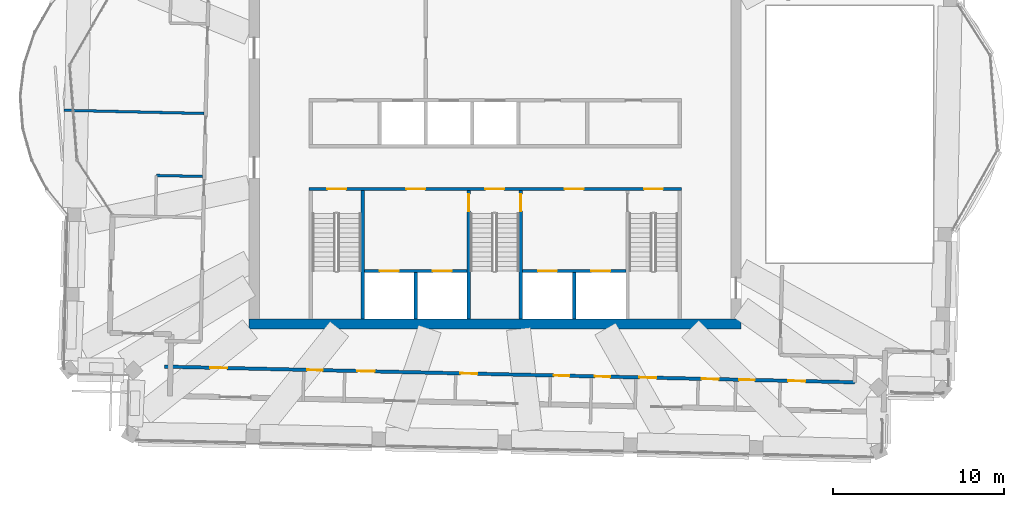
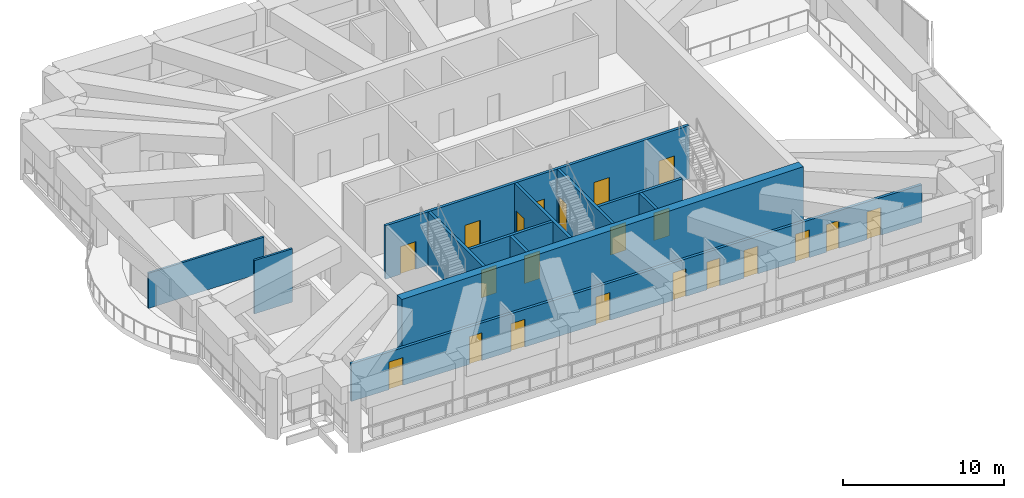
# One storey, part 9 of 19: 21 doors, 12 walls, 21 openings.
"""IFC4 building model written with IfcOpenShell, lengths in metres."""

from ifc_helpers import new_model, si_unit, direction, frame, frame_2d, origin, place, context, subcontext, project, spatial, rectangle, extrude, material, layer, layer_set, type_object, element, fill, save


model = new_model("IFC4")

# Units and contexts
model_context = context("Model", 3, precision=1e-05, world=origin(), true_north=direction((0.0, 1.0)))
body_context = subcontext(model_context, "Body", "Model", "MODEL_VIEW")
ifc_project = project(units=[si_unit("LENGTHUNIT", "METRE"), si_unit("AREAUNIT", "SQUARE_METRE"), si_unit("VOLUMEUNIT", "CUBIC_METRE"), si_unit("PLANEANGLEUNIT", "RADIAN"), si_unit("MASSUNIT", "GRAM", prefix="KILO")], contexts=[model_context])

# Site, building, storey
site_placement = place(None, origin())
site = spatial("IfcSite", under=ifc_project, at=site_placement, CompositionType="ELEMENT")
building_placement = place(site_placement, origin())
building = spatial("IfcBuilding", under=site, at=building_placement, Name="Mangrove Gate Tower", CompositionType="ELEMENT")
storey_placement = place(building_placement, frame((0.0, 0.0, 346.10009765625)))
storey = spatial("IfcBuildingStorey", under=building, at=storey_placement, Name="L88", CompositionType="ELEMENT", Elevation=346.10009765625)

# Wall, openings, doors
ifc_material_1 = material(Name="Concrete C50/60", Category="concrete")
ifc_layer_1 = layer(ifc_material_1, 0.199951171875)
ifc_layer_set_1 = layer_set([ifc_layer_1], Name="Core shaft wall 200 C50/60")
wall_type_1 = type_object("IfcWallType", Name="Core shaft wall 200 C50/60", PredefinedType="SHEAR", material=ifc_layer_set_1)
wall_1_placement = place(storey_placement, frame((-7.64990234375, -8.0, 0.0), z_axis=(0.0, 0.0, 1.0), x_axis=(1.0, 0.0, 0.0)))
wall_1 = element("IfcWall", 1, at=wall_1_placement, inside=storey, type_object=wall_type_1, Name="WALL-L88-CORE-15", PredefinedType="SHEAR", context=body_context, shape_type="SweptSolid", body=[
    extrude(rectangle(XDim=6.0, YDim=0.199951171875, at=frame_2d((3.0, 0.0))), origin(), (0.0, 0.0, 1.0), 4.0498046875),
])
opening_1_placement = place(wall_1_placement, frame((0.89990234375, 0.0, 0.0)))
opening_1 = element("IfcOpeningElement", 2, at=opening_1_placement, cuts=wall_1, Name="Opening LD", PredefinedType="OPENING", context=body_context, shape_type="SweptSolid", body=[
    extrude(rectangle(XDim=1.10009765625, YDim=2.10009765625, at=frame_2d((0.550048828125, 1.050048828125))), frame((0.0, 0.10986328125, 0.0), z_axis=(0.0, -1.0, 0.0), x_axis=(1.0, 0.0, 0.0)), (0.0, 0.0, 1.0), 0.219970703125),
])
opening_2_placement = place(wall_1_placement, frame((4.0, 0.0, 0.0)))
opening_2 = element("IfcOpeningElement", 3, at=opening_2_placement, cuts=wall_1, Name="Opening LD", PredefinedType="OPENING", context=body_context, shape_type="SweptSolid", body=[
    extrude(rectangle(XDim=1.10009765625, YDim=2.10009765625, at=frame_2d((0.550048828125, 1.050048828125))), frame((0.0, 0.10986328125, 0.0), z_axis=(0.0, -1.0, 0.0), x_axis=(1.0, 0.0, 0.0)), (0.0, 0.0, 1.0), 0.219970703125),
])
ifc_material_2 = material(Name="Stainless steel 316", Category="steel")
door_type_1 = type_object("IfcDoorType", Name="Lift landing door 1100x2100", OperationType="SLIDING_TO_LEFT", PredefinedType="DOOR", material=ifc_material_2)
door_1_placement = place(opening_1_placement, origin())
door_1 = element("IfcDoor", 4, at=door_1_placement, inside=storey, type_object=door_type_1, Name="Landing door LD SVL1", OperationType="SLIDING_TO_LEFT", OverallHeight=2.10009765625, OverallWidth=1.10009765625, PredefinedType="DOOR", context=body_context, shape_type="SweptSolid", body=[
    extrude(rectangle(XDim=1.10009765625, YDim=2.10009765625, at=frame_2d((0.550048828125, 1.050048828125))), frame((0.0, 0.02490234375, 0.0), z_axis=(0.0, -1.0, 0.0), x_axis=(1.0, 0.0, 0.0)), (0.0, 0.0, 1.0), 0.050048828125),
])
fill(opening_1, door_1)
door_2_placement = place(opening_2_placement, origin())
door_2 = element("IfcDoor", 5, at=door_2_placement, inside=storey, type_object=door_type_1, Name="Landing door LD SVL2", OperationType="SLIDING_TO_LEFT", OverallHeight=2.10009765625, OverallWidth=1.10009765625, PredefinedType="DOOR", context=body_context, shape_type="SweptSolid", body=[
    extrude(rectangle(XDim=1.10009765625, YDim=2.10009765625, at=frame_2d((0.550048828125, 1.050048828125))), frame((0.0, 0.02490234375, 0.0), z_axis=(0.0, -1.0, 0.0), x_axis=(1.0, 0.0, 0.0)), (0.0, 0.0, 1.0), 0.050048828125),
])
fill(opening_2, door_2)

# Wall
wall_2_placement = place(storey_placement, frame((-4.64990234375, -10.800048828125, 0.0), z_axis=(0.0, 0.0, 1.0), x_axis=(0.0, 1.0, 0.0)))
element("IfcWall", 6, at=wall_2_placement, inside=storey, type_object=wall_type_1, Name="WALL-L88-CORE-16", PredefinedType="SHEAR", context=body_context, shape_type="SweptSolid", body=[
    extrude(rectangle(XDim=2.699951171875, YDim=0.199951171875, at=frame_2d((1.35009765625, 0.0))), origin(), (0.0, 0.0, 1.0), 4.0498046875),
])

# Wall, openings, doors
wall_3_placement = place(storey_placement, frame((1.60009765625, -8.0, 0.0), z_axis=(0.0, 0.0, 1.0), x_axis=(1.0, 0.0, 0.0)))
wall_3 = element("IfcWall", 7, at=wall_3_placement, inside=storey, type_object=wall_type_1, Name="WALL-L88-CORE-17", PredefinedType="SHEAR", context=body_context, shape_type="SweptSolid", body=[
    extrude(rectangle(XDim=6.0498046875, YDim=0.199951171875, at=frame_2d((3.02490234375, 0.0))), origin(), (0.0, 0.0, 1.0), 4.0498046875),
])
opening_3_placement = place(wall_3_placement, frame((0.91259765625, 0.0, 0.0)))
opening_3 = element("IfcOpeningElement", 8, at=opening_3_placement, cuts=wall_3, Name="Opening LD", PredefinedType="OPENING", context=body_context, shape_type="SweptSolid", body=[
    extrude(rectangle(XDim=1.10009765625, YDim=2.10009765625, at=frame_2d((0.550048828125, 1.050048828125))), frame((0.0, 0.10986328125, 0.0), z_axis=(0.0, -1.0, 0.0), x_axis=(1.0, 0.0, 0.0)), (0.0, 0.0, 1.0), 0.219970703125),
])
opening_4_placement = place(wall_3_placement, frame((4.03759765625, 0.0, 0.0)))
opening_4 = element("IfcOpeningElement", 9, at=opening_4_placement, cuts=wall_3, Name="Opening LD", PredefinedType="OPENING", context=body_context, shape_type="SweptSolid", body=[
    extrude(rectangle(XDim=1.10009765625, YDim=2.10009765625, at=frame_2d((0.550048828125, 1.050048828125))), frame((0.0, 0.10986328125, 0.0), z_axis=(0.0, -1.0, 0.0), x_axis=(1.0, 0.0, 0.0)), (0.0, 0.0, 1.0), 0.219970703125),
])
door_3_placement = place(opening_3_placement, origin())
door_3 = element("IfcDoor", 10, at=door_3_placement, inside=storey, type_object=door_type_1, Name="Landing door LD FFL1", OperationType="SLIDING_TO_LEFT", OverallHeight=2.10009765625, OverallWidth=1.10009765625, PredefinedType="DOOR", context=body_context, shape_type="SweptSolid", body=[
    extrude(rectangle(XDim=1.10009765625, YDim=2.10009765625, at=frame_2d((0.550048828125, 1.050048828125))), frame((0.0, 0.02490234375, 0.0), z_axis=(0.0, -1.0, 0.0), x_axis=(1.0, 0.0, 0.0)), (0.0, 0.0, 1.0), 0.050048828125),
])
fill(opening_3, door_3)
door_4_placement = place(opening_4_placement, origin())
door_4 = element("IfcDoor", 11, at=door_4_placement, inside=storey, type_object=door_type_1, Name="Landing door LD FFL2", OperationType="SLIDING_TO_LEFT", OverallHeight=2.10009765625, OverallWidth=1.10009765625, PredefinedType="DOOR", context=body_context, shape_type="SweptSolid", body=[
    extrude(rectangle(XDim=1.10009765625, YDim=2.10009765625, at=frame_2d((0.550048828125, 1.050048828125))), frame((0.0, 0.02490234375, 0.0), z_axis=(0.0, -1.0, 0.0), x_axis=(1.0, 0.0, 0.0)), (0.0, 0.0, 1.0), 0.050048828125),
])
fill(opening_4, door_4)

# Wall
wall_4_placement = place(storey_placement, frame((4.625, -10.800048828125, 0.0), z_axis=(0.0, 0.0, 1.0), x_axis=(0.0, 1.0, 0.0)))
element("IfcWall", 12, at=wall_4_placement, inside=storey, type_object=wall_type_1, Name="WALL-L88-CORE-18", PredefinedType="SHEAR", context=body_context, shape_type="SweptSolid", body=[
    extrude(rectangle(XDim=2.699951171875, YDim=0.199951171875, at=frame_2d((1.35009765625, 0.0))), origin(), (0.0, 0.0, 1.0), 4.0498046875),
])

# Wall, openings, doors
ifc_material_3 = material(Name="Concrete C50/60", Category="concrete")
ifc_layer_2 = layer(ifc_material_3, 0.199951171875)
ifc_layer_set_2 = layer_set([ifc_layer_2], Name="Core stair wall 200 C50/60")
wall_type_2 = type_object("IfcWallType", Name="Core stair wall 200 C50/60", PredefinedType="SHEAR", material=ifc_layer_set_2)
wall_5_placement = place(storey_placement, frame((-10.89990234375, -3.199951171875, 0.0), z_axis=(0.0, 0.0, 1.0), x_axis=(1.0, 0.0, 0.0)))
wall_5 = element("IfcWall", 13, at=wall_5_placement, inside=storey, type_object=wall_type_2, Name="WALL-L88-CORE-5", PredefinedType="SHEAR", context=body_context, shape_type="SweptSolid", body=[
    extrude(rectangle(XDim=21.7998046875, YDim=0.199951171875, at=frame_2d((10.89990234375, 0.0))), origin(), (0.0, 0.0, 1.0), 4.0498046875),
])
opening_5_placement = place(wall_5_placement, frame((1.074951171875, 0.0, 0.0)))
opening_5 = element("IfcOpeningElement", 14, at=opening_5_placement, cuts=wall_5, Name="Opening STD11", PredefinedType="OPENING", context=body_context, shape_type="SweptSolid", body=[
    extrude(rectangle(XDim=1.10009765625, YDim=2.10009765625, at=frame_2d((0.550048828125, 1.050048828125))), frame((0.0, 0.10986328125, 0.0), z_axis=(0.0, -1.0, 0.0), x_axis=(1.0, 0.0, 0.0)), (0.0, 0.0, 1.0), 0.219970703125),
])
opening_6_placement = place(wall_5_placement, frame((10.324951171875, 0.0, 0.0)))
opening_6 = element("IfcOpeningElement", 15, at=opening_6_placement, cuts=wall_5, Name="Opening STD11", PredefinedType="OPENING", context=body_context, shape_type="SweptSolid", body=[
    extrude(rectangle(XDim=1.10009765625, YDim=2.10009765625, at=frame_2d((0.550048828125, 1.050048828125))), frame((0.0, 0.10986328125, 0.0), z_axis=(0.0, -1.0, 0.0), x_axis=(1.0, 0.0, 0.0)), (0.0, 0.0, 1.0), 0.219970703125),
])
opening_7_placement = place(wall_5_placement, frame((19.625, 0.0, 0.0)))
opening_7 = element("IfcOpeningElement", 16, at=opening_7_placement, cuts=wall_5, Name="Opening STD11", PredefinedType="OPENING", context=body_context, shape_type="SweptSolid", body=[
    extrude(rectangle(XDim=1.10009765625, YDim=2.10009765625, at=frame_2d((0.550048828125, 1.050048828125))), frame((0.0, 0.10986328125, 0.0), z_axis=(0.0, -1.0, 0.0), x_axis=(1.0, 0.0, 0.0)), (0.0, 0.0, 1.0), 0.219970703125),
])
opening_8_placement = place(wall_5_placement, frame((5.699951171875, 0.0, 0.0)))
opening_8 = element("IfcOpeningElement", 17, at=opening_8_placement, cuts=wall_5, Name="Opening FL", PredefinedType="OPENING", context=body_context, shape_type="SweptSolid", body=[
    extrude(rectangle(XDim=1.10009765625, YDim=2.10009765625, at=frame_2d((0.550048828125, 1.050048828125))), frame((0.0, 0.10986328125, 0.0), z_axis=(0.0, -1.0, 0.0), x_axis=(1.0, 0.0, 0.0)), (0.0, 0.0, 1.0), 0.219970703125),
])
opening_9_placement = place(wall_5_placement, frame((14.97509765625, 0.0, 0.0)))
opening_9 = element("IfcOpeningElement", 18, at=opening_9_placement, cuts=wall_5, Name="Opening FL", PredefinedType="OPENING", context=body_context, shape_type="SweptSolid", body=[
    extrude(rectangle(XDim=1.10009765625, YDim=2.10009765625, at=frame_2d((0.550048828125, 1.050048828125))), frame((0.0, 0.10986328125, 0.0), z_axis=(0.0, -1.0, 0.0), x_axis=(1.0, 0.0, 0.0)), (0.0, 0.0, 1.0), 0.219970703125),
])
ifc_material_4 = material(Name="Fire-rated steel door set", Category="steel")
door_type_2 = type_object("IfcDoorType", Name="Lobby door FD60 1100x2100", OperationType="SINGLE_SWING_LEFT", PredefinedType="DOOR", material=ifc_material_4)
door_5_placement = place(opening_8_placement, origin())
door_5 = element("IfcDoor", 19, at=door_5_placement, inside=storey, type_object=door_type_2, Name="Lobby door service lobby", OperationType="SINGLE_SWING_LEFT", OverallHeight=2.10009765625, OverallWidth=1.10009765625, PredefinedType="DOOR", context=body_context, shape_type="SweptSolid", body=[
    extrude(rectangle(XDim=1.10009765625, YDim=2.10009765625, at=frame_2d((0.550048828125, 1.050048828125))), frame((0.0, 0.02490234375, 0.0), z_axis=(0.0, -1.0, 0.0), x_axis=(1.0, 0.0, 0.0)), (0.0, 0.0, 1.0), 0.050048828125),
])
fill(opening_8, door_5)
door_6_placement = place(opening_9_placement, origin())
door_6 = element("IfcDoor", 20, at=door_6_placement, inside=storey, type_object=door_type_2, Name="Lobby door fire-fighting lobby", OperationType="SINGLE_SWING_LEFT", OverallHeight=2.10009765625, OverallWidth=1.10009765625, PredefinedType="DOOR", context=body_context, shape_type="SweptSolid", body=[
    extrude(rectangle(XDim=1.10009765625, YDim=2.10009765625, at=frame_2d((0.550048828125, 1.050048828125))), frame((0.0, 0.02490234375, 0.0), z_axis=(0.0, -1.0, 0.0), x_axis=(1.0, 0.0, 0.0)), (0.0, 0.0, 1.0), 0.050048828125),
])
fill(opening_9, door_6)
ifc_material_5 = material(Name="Fire-rated steel door set", Category="steel")
door_type_3 = type_object("IfcDoorType", Name="Stair door FD60 1100x2100", OperationType="SINGLE_SWING_RIGHT", PredefinedType="DOOR", material=ifc_material_5)
door_7_placement = place(opening_5_placement, origin())
door_7 = element("IfcDoor", 21, at=door_7_placement, inside=storey, type_object=door_type_3, Name="Stair door Stair 1", OperationType="SINGLE_SWING_RIGHT", OverallHeight=2.10009765625, OverallWidth=1.10009765625, PredefinedType="DOOR", context=body_context, shape_type="SweptSolid", body=[
    extrude(rectangle(XDim=1.10009765625, YDim=2.10009765625, at=frame_2d((0.550048828125, 1.050048828125))), frame((0.0, 0.02490234375, 0.0), z_axis=(0.0, -1.0, 0.0), x_axis=(1.0, 0.0, 0.0)), (0.0, 0.0, 1.0), 0.050048828125),
])
fill(opening_5, door_7)
door_8_placement = place(opening_6_placement, origin())
door_8 = element("IfcDoor", 22, at=door_8_placement, inside=storey, type_object=door_type_3, Name="Stair door Stair 2", OperationType="SINGLE_SWING_RIGHT", OverallHeight=2.10009765625, OverallWidth=1.10009765625, PredefinedType="DOOR", context=body_context, shape_type="SweptSolid", body=[
    extrude(rectangle(XDim=1.10009765625, YDim=2.10009765625, at=frame_2d((0.550048828125, 1.050048828125))), frame((0.0, 0.02490234375, 0.0), z_axis=(0.0, -1.0, 0.0), x_axis=(1.0, 0.0, 0.0)), (0.0, 0.0, 1.0), 0.050048828125),
])
fill(opening_6, door_8)
door_9_placement = place(opening_7_placement, origin())
door_9 = element("IfcDoor", 23, at=door_9_placement, inside=storey, type_object=door_type_3, Name="Stair door Stair 3", OperationType="SINGLE_SWING_RIGHT", OverallHeight=2.10009765625, OverallWidth=1.10009765625, PredefinedType="DOOR", context=body_context, shape_type="SweptSolid", body=[
    extrude(rectangle(XDim=1.10009765625, YDim=2.10009765625, at=frame_2d((0.550048828125, 1.050048828125))), frame((0.0, 0.02490234375, 0.0), z_axis=(0.0, -1.0, 0.0), x_axis=(1.0, 0.0, 0.0)), (0.0, 0.0, 1.0), 0.050048828125),
])
fill(opening_7, door_9)

# Wall
wall_6_placement = place(storey_placement, frame((-7.75, -10.800048828125, 0.0), z_axis=(0.0, 0.0, 1.0), x_axis=(0.0, 1.0, 0.0)))
element("IfcWall", 24, at=wall_6_placement, inside=storey, type_object=wall_type_2, Name="WALL-L88-CORE-10", PredefinedType="SHEAR", context=body_context, shape_type="SweptSolid", body=[
    extrude(rectangle(XDim=7.5, YDim=0.199951171875, at=frame_2d((3.75, 0.0))), origin(), (0.0, 0.0, 1.0), 4.0498046875),
])

# Wall, opening, door
wall_7_placement = place(storey_placement, frame((-1.550048828125, -10.800048828125, 0.0), z_axis=(0.0, 0.0, 1.0), x_axis=(0.0, 1.0, 0.0)))
wall_7 = element("IfcWall", 25, at=wall_7_placement, inside=storey, type_object=wall_type_2, Name="WALL-L88-CORE-11", PredefinedType="SHEAR", context=body_context, shape_type="SweptSolid", body=[
    extrude(rectangle(XDim=7.5, YDim=0.199951171875, at=frame_2d((3.75, 0.0))), origin(), (0.0, 0.0, 1.0), 4.0498046875),
])
opening_10_placement = place(wall_7_placement, frame((6.300048828125, 0.0, 0.0)))
opening_10 = element("IfcOpeningElement", 26, at=opening_10_placement, cuts=wall_7, Name="Opening STD10", PredefinedType="OPENING", context=body_context, shape_type="SweptSolid", body=[
    extrude(rectangle(XDim=1.0, YDim=2.10009765625, at=frame_2d((0.5, 1.050048828125))), frame((0.0, 0.10986328125, 0.0), z_axis=(0.0, -1.0, 0.0), x_axis=(1.0, 0.0, 0.0)), (0.0, 0.0, 1.0), 0.219970703125),
])
ifc_material_6 = material(Name="Fire-rated steel door set", Category="steel")
door_type_4 = type_object("IfcDoorType", Name="Stair door FD60 1000x2100", OperationType="SINGLE_SWING_RIGHT", PredefinedType="DOOR", material=ifc_material_6)
door_10_placement = place(opening_10_placement, origin())
door_10 = element("IfcDoor", 27, at=door_10_placement, inside=storey, type_object=door_type_4, Name="Stair door Stair 2 from service lobby", OperationType="SINGLE_SWING_RIGHT", OverallHeight=2.10009765625, OverallWidth=1.0, PredefinedType="DOOR", context=body_context, shape_type="SweptSolid", body=[
    extrude(rectangle(XDim=1.0, YDim=2.10009765625, at=frame_2d((0.5, 1.050048828125))), frame((0.0, 0.02490234375, 0.0), z_axis=(0.0, -1.0, 0.0), x_axis=(1.0, 0.0, 0.0)), (0.0, 0.0, 1.0), 0.050048828125),
])
fill(opening_10, door_10)

wall_8_placement = place(storey_placement, frame((1.5, -10.800048828125, 0.0), z_axis=(0.0, 0.0, 1.0), x_axis=(0.0, 1.0, 0.0)))
wall_8 = element("IfcWall", 28, at=wall_8_placement, inside=storey, type_object=wall_type_2, Name="WALL-L88-CORE-12", PredefinedType="SHEAR", context=body_context, shape_type="SweptSolid", body=[
    extrude(rectangle(XDim=7.5, YDim=0.199951171875, at=frame_2d((3.75, 0.0))), origin(), (0.0, 0.0, 1.0), 4.0498046875),
])
opening_11_placement = place(wall_8_placement, frame((6.300048828125, 0.0, 0.0)))
opening_11 = element("IfcOpeningElement", 29, at=opening_11_placement, cuts=wall_8, Name="Opening STD10", PredefinedType="OPENING", context=body_context, shape_type="SweptSolid", body=[
    extrude(rectangle(XDim=1.0, YDim=2.10009765625, at=frame_2d((0.5, 1.050048828125))), frame((0.0, 0.10986328125, 0.0), z_axis=(0.0, -1.0, 0.0), x_axis=(1.0, 0.0, 0.0)), (0.0, 0.0, 1.0), 0.219970703125),
])
door_11_placement = place(opening_11_placement, origin())
door_11 = element("IfcDoor", 30, at=door_11_placement, inside=storey, type_object=door_type_4, Name="Stair door Stair 2 from fire-fighting lobby", OperationType="SINGLE_SWING_RIGHT", OverallHeight=2.10009765625, OverallWidth=1.0, PredefinedType="DOOR", context=body_context, shape_type="SweptSolid", body=[
    extrude(rectangle(XDim=1.0, YDim=2.10009765625, at=frame_2d((0.5, 1.050048828125))), frame((0.0, 0.02490234375, 0.0), z_axis=(0.0, -1.0, 0.0), x_axis=(1.0, 0.0, 0.0)), (0.0, 0.0, 1.0), 0.050048828125),
])
fill(opening_11, door_11)

# Wall
ifc_material_7 = material(Name="Concrete C50/60", Category="concrete")
ifc_layer_3 = layer(ifc_material_7, 0.60009765625)
ifc_layer_set_3 = layer_set([ifc_layer_3], Name="Core wall 600 C50/60")
wall_type_3 = type_object("IfcWallType", Name="Core wall 600 C50/60", PredefinedType="SHEAR", material=ifc_layer_set_3)
wall_9_placement = place(storey_placement, frame((-14.39990234375, -11.10009765625, 0.0), z_axis=(0.0, 0.0, 1.0), x_axis=(1.0, 0.0, 0.0)))
element("IfcWall", 31, at=wall_9_placement, inside=storey, type_object=wall_type_3, Name="WALL-L88-CORE-1", PredefinedType="SHEAR", context=body_context, shape_type="SweptSolid", body=[
    extrude(rectangle(XDim=28.7998046875, YDim=0.60009765625, at=frame_2d((14.39990234375, 0.0))), origin(), (0.0, 0.0, 1.0), 4.599853515625),
])

# Wall, openings, doors
ifc_material_8 = material(Name="Gypsum board on steel stud, EI 60", Category="steel")
ifc_layer_4 = layer(ifc_material_8, 0.199951171875)
ifc_layer_set_4 = layer_set([ifc_layer_4], Name="Corridor wall EI 60")
wall_type_4 = type_object("IfcWallType", Name="Corridor wall EI 60", PredefinedType="PARTITIONING", material=ifc_layer_set_4)
wall_10_placement = place(storey_placement, frame((-19.35107421875, -13.60107421875, 0.0), z_axis=(0.0, 0.0, 1.0), x_axis=(0.999742592778, -0.02268806261, 0.0)))
wall_10 = element("IfcWall", 32, at=wall_10_placement, inside=storey, type_object=wall_type_4, Name="WALL-L88-010", PredefinedType="PARTITIONING", context=body_context, shape_type="SweptSolid", body=[
    extrude(rectangle(XDim=40.41748046875, YDim=0.199951171875, at=frame_2d((20.208740234375, 0.0))), origin(), (0.0, 0.0, 1.0), 2.849853515625),
])
opening_12_placement = place(wall_10_placement, frame((2.6630859375, 0.0, 0.0)))
opening_12 = element("IfcOpeningElement", 33, at=opening_12_placement, cuts=wall_10, Name="Opening AD", PredefinedType="OPENING", context=body_context, shape_type="SweptSolid", body=[
    extrude(rectangle(XDim=1.0, YDim=2.10009765625, at=frame_2d((0.5, 1.050048828125))), frame((0.0, 0.10986328125, 0.0), z_axis=(0.0, -1.0, 0.0), x_axis=(1.0, 0.0, 0.0)), (0.0, 0.0, 1.0), 0.219970703125),
])
opening_13_placement = place(wall_10_placement, frame((11.2958984375, 0.0, 0.0)))
opening_13 = element("IfcOpeningElement", 34, at=opening_13_placement, cuts=wall_10, Name="Opening AD", PredefinedType="OPENING", context=body_context, shape_type="SweptSolid", body=[
    extrude(rectangle(XDim=1.0, YDim=2.10009765625, at=frame_2d((0.5, 1.050048828125))), frame((0.0, 0.10986328125, 0.0), z_axis=(0.0, -1.0, 0.0), x_axis=(1.0, 0.0, 0.0)), (0.0, 0.0, 1.0), 0.219970703125),
])
opening_14_placement = place(wall_10_placement, frame((8.35009765625, 0.0, 0.0)))
opening_14 = element("IfcOpeningElement", 35, at=opening_14_placement, cuts=wall_10, Name="Opening SD", PredefinedType="OPENING", context=body_context, shape_type="SweptSolid", body=[
    extrude(rectangle(XDim=0.89990234375, YDim=2.10009765625, at=frame_2d((0.449951171875, 1.050048828125))), frame((0.0, 0.10986328125, 0.0), z_axis=(0.0, -1.0, 0.0), x_axis=(1.0, 0.0, 0.0)), (0.0, 0.0, 1.0), 0.219970703125),
])
opening_15_placement = place(wall_10_placement, frame((17.319091796875, 0.0, 0.0)))
opening_15 = element("IfcOpeningElement", 36, at=opening_15_placement, cuts=wall_10, Name="Opening AD", PredefinedType="OPENING", context=body_context, shape_type="SweptSolid", body=[
    extrude(rectangle(XDim=1.0, YDim=2.10009765625, at=frame_2d((0.5, 1.050048828125))), frame((0.0, 0.10986328125, 0.0), z_axis=(0.0, -1.0, 0.0), x_axis=(1.0, 0.0, 0.0)), (0.0, 0.0, 1.0), 0.219970703125),
])
opening_16_placement = place(wall_10_placement, frame((22.800048828125, 0.0, 0.0)))
opening_16 = element("IfcOpeningElement", 37, at=opening_16_placement, cuts=wall_10, Name="Opening SD", PredefinedType="OPENING", context=body_context, shape_type="SweptSolid", body=[
    extrude(rectangle(XDim=0.89990234375, YDim=2.10009765625, at=frame_2d((0.449951171875, 1.050048828125))), frame((0.0, 0.10986328125, 0.0), z_axis=(0.0, -1.0, 0.0), x_axis=(1.0, 0.0, 0.0)), (0.0, 0.0, 1.0), 0.219970703125),
])
opening_17_placement = place(wall_10_placement, frame((27.800048828125, 0.0, 0.0)))
opening_17 = element("IfcOpeningElement", 38, at=opening_17_placement, cuts=wall_10, Name="Opening AD", PredefinedType="OPENING", context=body_context, shape_type="SweptSolid", body=[
    extrude(rectangle(XDim=1.0, YDim=2.10009765625, at=frame_2d((0.5, 1.050048828125))), frame((0.0, 0.10986328125, 0.0), z_axis=(0.0, -1.0, 0.0), x_axis=(1.0, 0.0, 0.0)), (0.0, 0.0, 1.0), 0.219970703125),
])
opening_18_placement = place(wall_10_placement, frame((25.199951171875, 0.0, 0.0)))
opening_18 = element("IfcOpeningElement", 39, at=opening_18_placement, cuts=wall_10, Name="Opening SD", PredefinedType="OPENING", context=body_context, shape_type="SweptSolid", body=[
    extrude(rectangle(XDim=0.89990234375, YDim=2.10009765625, at=frame_2d((0.449951171875, 1.050048828125))), frame((0.0, 0.10986328125, 0.0), z_axis=(0.0, -1.0, 0.0), x_axis=(1.0, 0.0, 0.0)), (0.0, 0.0, 1.0), 0.219970703125),
])
opening_19_placement = place(wall_10_placement, frame((31.449951171875, 0.0, 0.0)))
opening_19 = element("IfcOpeningElement", 40, at=opening_19_placement, cuts=wall_10, Name="Opening AD", PredefinedType="OPENING", context=body_context, shape_type="SweptSolid", body=[
    extrude(rectangle(XDim=1.0, YDim=2.10009765625, at=frame_2d((0.5, 1.050048828125))), frame((0.0, 0.10986328125, 0.0), z_axis=(0.0, -1.0, 0.0), x_axis=(1.0, 0.0, 0.0)), (0.0, 0.0, 1.0), 0.219970703125),
])
opening_20_placement = place(wall_10_placement, frame((33.64990234375, 0.0, 0.0)))
opening_20 = element("IfcOpeningElement", 41, at=opening_20_placement, cuts=wall_10, Name="Opening SD", PredefinedType="OPENING", context=body_context, shape_type="SweptSolid", body=[
    extrude(rectangle(XDim=0.89990234375, YDim=2.10009765625, at=frame_2d((0.449951171875, 1.050048828125))), frame((0.0, 0.10986328125, 0.0), z_axis=(0.0, -1.0, 0.0), x_axis=(1.0, 0.0, 0.0)), (0.0, 0.0, 1.0), 0.219970703125),
])
opening_21_placement = place(wall_10_placement, frame((36.52294921875, 0.0, 0.0)))
opening_21 = element("IfcOpeningElement", 42, at=opening_21_placement, cuts=wall_10, Name="Opening AD", PredefinedType="OPENING", context=body_context, shape_type="SweptSolid", body=[
    extrude(rectangle(XDim=1.0, YDim=2.10009765625, at=frame_2d((0.5, 1.050048828125))), frame((0.0, 0.10986328125, 0.0), z_axis=(0.0, -1.0, 0.0), x_axis=(1.0, 0.0, 0.0)), (0.0, 0.0, 1.0), 0.219970703125),
])
ifc_material_9 = material(Name="Timber door leaf", Category="wood")
door_type_5 = type_object("IfcDoorType", Name="Amenity door 1000", OperationType="SINGLE_SWING_LEFT", PredefinedType="DOOR", material=ifc_material_9)
door_12_placement = place(opening_12_placement, origin())
door_12 = element("IfcDoor", 43, at=door_12_placement, inside=storey, type_object=door_type_5, Name="DOOR-L88-GAM-c1a", OperationType="SINGLE_SWING_LEFT", OverallHeight=2.10009765625, OverallWidth=1.0, PredefinedType="DOOR", context=body_context, shape_type="SweptSolid", body=[
    extrude(rectangle(XDim=1.0, YDim=2.10009765625, at=frame_2d((0.5, 1.050048828125))), frame((0.0, 0.02490234375, 0.0), z_axis=(0.0, -1.0, 0.0), x_axis=(1.0, 0.0, 0.0)), (0.0, 0.0, 1.0), 0.050048828125),
])
fill(opening_12, door_12)
door_13_placement = place(opening_13_placement, origin())
door_13 = element("IfcDoor", 44, at=door_13_placement, inside=storey, type_object=door_type_5, Name="DOOR-L88-LNG-c1a", OperationType="SINGLE_SWING_RIGHT", OverallHeight=2.10009765625, OverallWidth=1.0, PredefinedType="DOOR", context=body_context, shape_type="SweptSolid", body=[
    extrude(rectangle(XDim=1.0, YDim=2.10009765625, at=frame_2d((0.5, 1.050048828125))), frame((0.0, 0.02490234375, 0.0), z_axis=(0.0, -1.0, 0.0), x_axis=(1.0, 0.0, 0.0)), (0.0, 0.0, 1.0), 0.050048828125),
])
fill(opening_13, door_13)
door_14_placement = place(opening_15_placement, origin())
door_14 = element("IfcDoor", 45, at=door_14_placement, inside=storey, type_object=door_type_5, Name="DOOR-L88-GAM-c1b", OperationType="SINGLE_SWING_LEFT", OverallHeight=2.10009765625, OverallWidth=1.0, PredefinedType="DOOR", context=body_context, shape_type="SweptSolid", body=[
    extrude(rectangle(XDim=1.0, YDim=2.10009765625, at=frame_2d((0.5, 1.050048828125))), frame((0.0, 0.02490234375, 0.0), z_axis=(0.0, -1.0, 0.0), x_axis=(1.0, 0.0, 0.0)), (0.0, 0.0, 1.0), 0.050048828125),
])
fill(opening_15, door_14)
door_15_placement = place(opening_17_placement, origin())
door_15 = element("IfcDoor", 46, at=door_15_placement, inside=storey, type_object=door_type_5, Name="DOOR-L88-KIT-c1a", OperationType="SINGLE_SWING_RIGHT", OverallHeight=2.10009765625, OverallWidth=1.0, PredefinedType="DOOR", context=body_context, shape_type="SweptSolid", body=[
    extrude(rectangle(XDim=1.0, YDim=2.10009765625, at=frame_2d((0.5, 1.050048828125))), frame((0.0, 0.02490234375, 0.0), z_axis=(0.0, -1.0, 0.0), x_axis=(1.0, 0.0, 0.0)), (0.0, 0.0, 1.0), 0.050048828125),
])
fill(opening_17, door_15)
door_16_placement = place(opening_19_placement, origin())
door_16 = element("IfcDoor", 47, at=door_16_placement, inside=storey, type_object=door_type_5, Name="DOOR-L88-STU-c2a", OperationType="SINGLE_SWING_LEFT", OverallHeight=2.10009765625, OverallWidth=1.0, PredefinedType="DOOR", context=body_context, shape_type="SweptSolid", body=[
    extrude(rectangle(XDim=1.0, YDim=2.10009765625, at=frame_2d((0.5, 1.050048828125))), frame((0.0, 0.02490234375, 0.0), z_axis=(0.0, -1.0, 0.0), x_axis=(1.0, 0.0, 0.0)), (0.0, 0.0, 1.0), 0.050048828125),
])
fill(opening_19, door_16)
door_17_placement = place(opening_21_placement, origin())
door_17 = element("IfcDoor", 48, at=door_17_placement, inside=storey, type_object=door_type_5, Name="DOOR-L88-KIT-c2a", OperationType="SINGLE_SWING_RIGHT", OverallHeight=2.10009765625, OverallWidth=1.0, PredefinedType="DOOR", context=body_context, shape_type="SweptSolid", body=[
    extrude(rectangle(XDim=1.0, YDim=2.10009765625, at=frame_2d((0.5, 1.050048828125))), frame((0.0, 0.02490234375, 0.0), z_axis=(0.0, -1.0, 0.0), x_axis=(1.0, 0.0, 0.0)), (0.0, 0.0, 1.0), 0.050048828125),
])
fill(opening_21, door_17)
ifc_material_10 = material(Name="Timber door leaf", Category="wood")
door_type_6 = type_object("IfcDoorType", Name="Service room door 900", OperationType="SINGLE_SWING_LEFT", PredefinedType="DOOR", material=ifc_material_10)
door_18_placement = place(opening_14_placement, origin())
door_18 = element("IfcDoor", 49, at=door_18_placement, inside=storey, type_object=door_type_6, Name="DOOR-L88-WC-c1a", OperationType="SINGLE_SWING_LEFT", OverallHeight=2.10009765625, OverallWidth=0.89990234375, PredefinedType="DOOR", context=body_context, shape_type="SweptSolid", body=[
    extrude(rectangle(XDim=0.89990234375, YDim=2.10009765625, at=frame_2d((0.449951171875, 1.050048828125))), frame((0.0, 0.02490234375, 0.0), z_axis=(0.0, -1.0, 0.0), x_axis=(1.0, 0.0, 0.0)), (0.0, 0.0, 1.0), 0.050048828125),
])
fill(opening_14, door_18)
door_19_placement = place(opening_16_placement, origin())
door_19 = element("IfcDoor", 50, at=door_19_placement, inside=storey, type_object=door_type_6, Name="DOOR-L88-WC-c1b", OperationType="SINGLE_SWING_RIGHT", OverallHeight=2.10009765625, OverallWidth=0.89990234375, PredefinedType="DOOR", context=body_context, shape_type="SweptSolid", body=[
    extrude(rectangle(XDim=0.89990234375, YDim=2.10009765625, at=frame_2d((0.449951171875, 1.050048828125))), frame((0.0, 0.02490234375, 0.0), z_axis=(0.0, -1.0, 0.0), x_axis=(1.0, 0.0, 0.0)), (0.0, 0.0, 1.0), 0.050048828125),
])
fill(opening_16, door_19)
door_20_placement = place(opening_18_placement, origin())
door_20 = element("IfcDoor", 51, at=door_20_placement, inside=storey, type_object=door_type_6, Name="DOOR-L88-AWC-c1a", OperationType="SINGLE_SWING_LEFT", OverallHeight=2.10009765625, OverallWidth=0.89990234375, PredefinedType="DOOR", context=body_context, shape_type="SweptSolid", body=[
    extrude(rectangle(XDim=0.89990234375, YDim=2.10009765625, at=frame_2d((0.449951171875, 1.050048828125))), frame((0.0, 0.02490234375, 0.0), z_axis=(0.0, -1.0, 0.0), x_axis=(1.0, 0.0, 0.0)), (0.0, 0.0, 1.0), 0.050048828125),
])
fill(opening_18, door_20)
door_21_placement = place(opening_20_placement, origin())
door_21 = element("IfcDoor", 52, at=door_21_placement, inside=storey, type_object=door_type_6, Name="DOOR-L88-AWC-c2a", OperationType="SINGLE_SWING_RIGHT", OverallHeight=2.10009765625, OverallWidth=0.89990234375, PredefinedType="DOOR", context=body_context, shape_type="SweptSolid", body=[
    extrude(rectangle(XDim=0.89990234375, YDim=2.10009765625, at=frame_2d((0.449951171875, 1.050048828125))), frame((0.0, 0.02490234375, 0.0), z_axis=(0.0, -1.0, 0.0), x_axis=(1.0, 0.0, 0.0)), (0.0, 0.0, 1.0), 0.050048828125),
])
fill(opening_20, door_21)

# Walls
ifc_material_11 = material(Name="Gypsum board on steel stud, EI 60", Category="steel")
ifc_layer_5 = layer(ifc_material_11, 0.14990234375)
ifc_layer_set_5 = layer_set([ifc_layer_5], Name="Party wall 150 EI 60")
wall_type_5 = type_object("IfcWallType", Name="Party wall 150 EI 60", PredefinedType="PARTITIONING", material=ifc_layer_set_5)
wall_11_placement = place(storey_placement, frame((-19.827880859375, -2.407958984375, 0.0), z_axis=(0.0, 0.0, 1.0), x_axis=(0.99974458177, -0.022600248254, 0.0)))
element("IfcWall", 53, at=wall_11_placement, inside=storey, type_object=wall_type_5, Name="WALL-L88-019", PredefinedType="PARTITIONING", context=body_context, shape_type="SweptSolid", body=[
    extrude(rectangle(XDim=2.70068359375, YDim=0.14990234375, at=frame_2d((1.350341796875, 0.0))), origin(), (0.0, 0.0, 1.0), 4.0498046875),
])
wall_12_placement = place(storey_placement, frame((-25.23388671875, 1.406005859375, 0.0), z_axis=(0.0, 0.0, 1.0), x_axis=(0.999742050926, -0.022711926623, 0.0)))
element("IfcWall", 54, at=wall_12_placement, inside=storey, type_object=wall_type_5, Name="WALL-L88-020", PredefinedType="PARTITIONING", context=body_context, shape_type="SweptSolid", body=[
    extrude(rectangle(XDim=8.191162109375, YDim=0.14990234375, at=frame_2d((4.095703125, 0.0))), origin(), (0.0, 0.0, 1.0), 2.664794921875),
])

save(model, "model.ifc")
